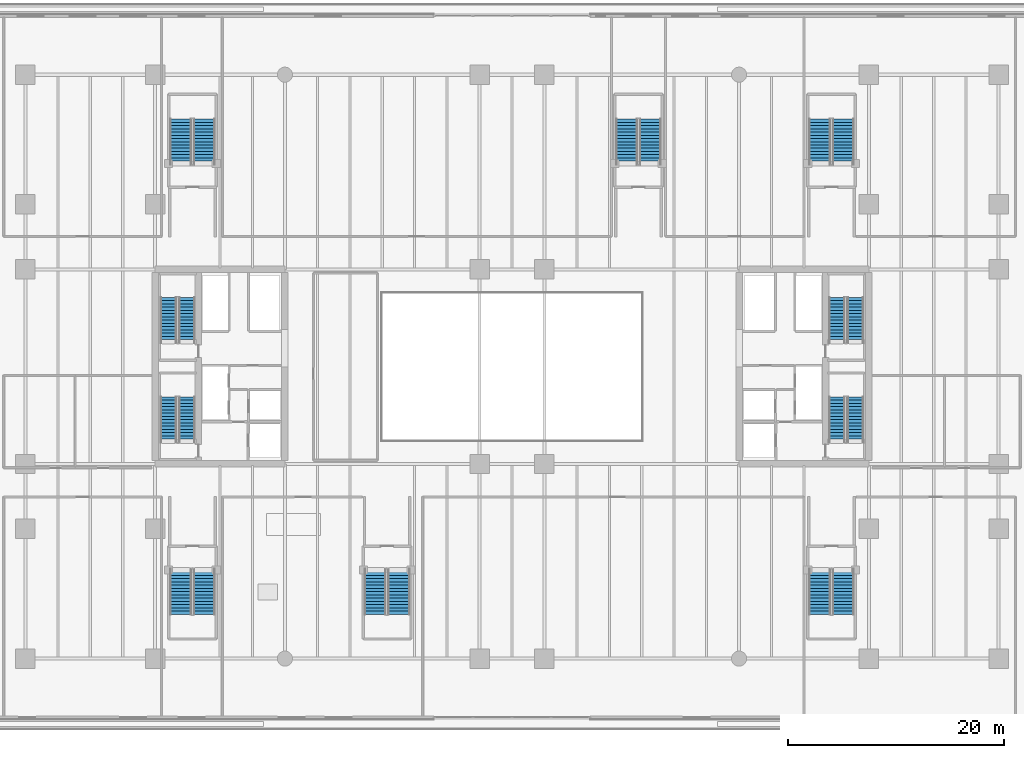
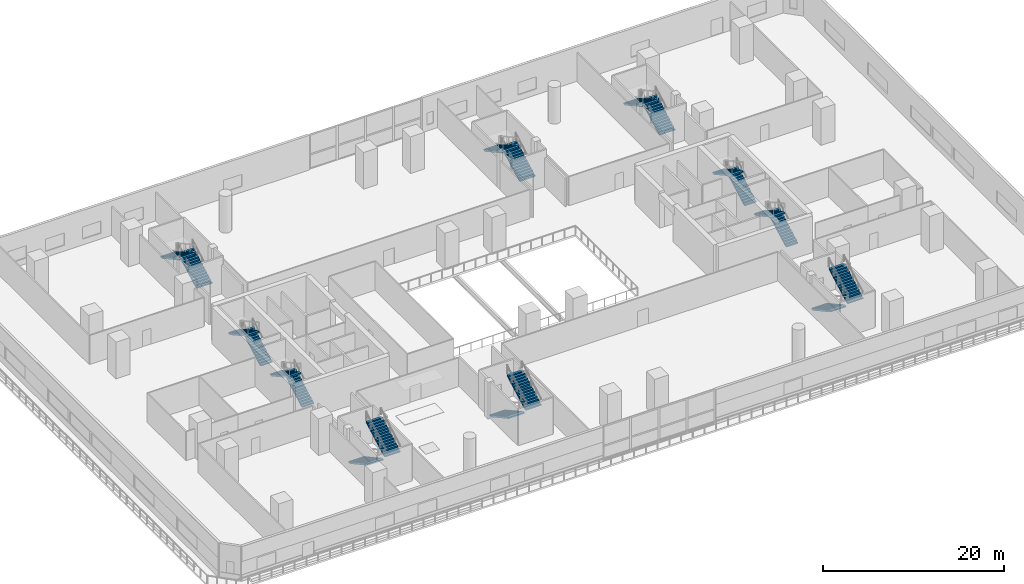
# One storey, part 13 of 24: 20 stair flights, 10 elements without a shape of their own.
"""IFC4 building model written with IfcOpenShell, lengths in metres."""

import ifcopenshell
import ifcopenshell.guid

model = None  # the IFC model being written
_history = None  # IfcOwnerHistory: only IFC2X3 demands one
_inside = {}  # id of a spatial element -> (the spatial element, [elements in it])
_under = {}  # id of a project, library or spatial element -> (it, [spatial elements below it])
_declared = {}  # id of a project -> (the project, [libraries it declares])
_typed = {}  # id of a type object -> (the type object, [elements of that type])
_made_of = {}  # id of a material, layer set ... -> (it, [elements and type objects made of it])


def new_model(schema):
    """Start an empty IFC model of exactly this schema.

    Asked for "IFC4X3", IfcOpenShell would pick the latest addendum, in which some entities
    have other attributes; the version numbers below select the first issue.
    IFC2X3 requires an IfcOwnerHistory on every rooted entity: one is made here for all.
    """
    global model, _history
    if schema == "IFC4X3":
        model = ifcopenshell.file(schema_version=(4, 3, 0, 0))
    else:
        model = ifcopenshell.file(schema=schema)
    _inside.clear()
    _under.clear()
    _declared.clear()
    _typed.clear()
    _made_of.clear()
    _history = None
    if model.schema == "IFC2X3":
        org = make("IfcOrganization", Name="unknown")
        user = make(
            "IfcPersonAndOrganization",
            ThePerson=make("IfcPerson", FamilyName="unknown"),
            TheOrganization=org,
        )
        app = make(
            "IfcApplication",
            ApplicationDeveloper=org,
            Version="unknown",
            ApplicationFullName="unknown",
            ApplicationIdentifier="unknown",
        )
        _history = make(
            "IfcOwnerHistory",
            OwningUser=user,
            OwningApplication=app,
            ChangeAction="ADDED",
            CreationDate=0,
        )
    return model


def make(cls, **values):
    """One entity of the class cls with the attributes given. An attribute that is None is left unset."""
    return model.create_entity(
        cls, **{name: value for name, value in values.items() if value is not None}
    )


def rooted(cls, **values):
    """An entity with a GlobalId (a new one), such as an element, a storey or a relation."""
    return make(cls, GlobalId=ifcopenshell.guid.new(), OwnerHistory=_history, **values)


def si_unit(unit_type, name, prefix=None):
    """IfcSIUnit, for example si_unit("LENGTHUNIT", "METRE", prefix="MILLI")."""
    return make("IfcSIUnit", UnitType=unit_type, Prefix=prefix, Name=name)


def assignment(units):
    """IfcUnitAssignment: the units of a project."""
    return None if units is None else make("IfcUnitAssignment", Units=units)


def point(xyz):
    """IfcCartesianPoint."""
    return None if xyz is None else make("IfcCartesianPoint", Coordinates=xyz)


def direction(xyz):
    """IfcDirection."""
    return None if xyz is None else make("IfcDirection", DirectionRatios=xyz)


def frame(location, z_axis=None, x_axis=None):
    """IfcAxis2Placement3D, a coordinate frame: its origin and axes. An axis left out is left unset."""
    return make(
        "IfcAxis2Placement3D",
        Location=point(location),
        Axis=direction(z_axis),
        RefDirection=direction(x_axis),
    )


def origin():
    """The frame at (0, 0, 0) with its axes left unset."""
    return frame((0.0, 0.0, 0.0))


def place(relative_to, where):
    """IfcLocalPlacement: puts the frame where relative to a parent placement (None: the world)."""
    return make(
        "IfcLocalPlacement", PlacementRelTo=relative_to, RelativePlacement=where
    )


def context(
    kind, dimensions, precision=None, world=None, true_north=None, identifier=None
):
    """IfcGeometricRepresentationContext, for example the 3D "Model" context."""
    return make(
        "IfcGeometricRepresentationContext",
        ContextIdentifier=identifier,
        ContextType=kind,
        CoordinateSpaceDimension=dimensions,
        Precision=precision,
        WorldCoordinateSystem=world,
        TrueNorth=true_north,
    )


def subcontext(parent, identifier, kind, view, scale=None):
    """IfcGeometricRepresentationSubContext, for example "Body" below "Model"."""
    return make(
        "IfcGeometricRepresentationSubContext",
        ContextIdentifier=identifier,
        ContextType=kind,
        ParentContext=parent,
        TargetScale=scale,
        TargetView=view,
    )


def project(units=None, contexts=None):
    """IfcProject with its units and contexts."""
    return rooted(
        "IfcProject",
        Name="project",
        RepresentationContexts=contexts,
        UnitsInContext=assignment(units),
    )


def spatial(cls, under=None, at=None, **own):
    """A site, building, storey or space (cls), placed at a placement, below another one or the project."""
    s = rooted(cls, ObjectPlacement=at, **own)
    if under is not None:
        _under.setdefault(under.id(), (under, []))[1].append(s)
    return s


def polyline(points):
    """IfcPolyline through the points."""
    return make("IfcPolyline", Points=[point(p) for p in points])


def outline(outer, holes=None, kind="AREA"):
    """IfcArbitraryClosedProfileDef: a profile drawn as a closed curve; with holes, ...WithVoids."""
    if holes is None:
        return make("IfcArbitraryClosedProfileDef", ProfileType=kind, OuterCurve=outer)
    return make(
        "IfcArbitraryProfileDefWithVoids",
        ProfileType=kind,
        OuterCurve=outer,
        InnerCurves=holes,
    )


def extrude(swept, where, along, depth):
    """IfcExtrudedAreaSolid: the profile swept, set in the frame where, extruded along a direction by depth."""
    return make(
        "IfcExtrudedAreaSolid",
        SweptArea=swept,
        Position=where,
        ExtrudedDirection=direction(along),
        Depth=depth,
    )


def shape(context_of_items, identifier, shape_type, items):
    """IfcShapeRepresentation: the items that make up one representation, for example the "Body"."""
    return make(
        "IfcShapeRepresentation",
        ContextOfItems=context_of_items,
        RepresentationIdentifier=identifier,
        RepresentationType=shape_type,
        Items=items,
    )


def material(Name=None, Category=None):
    """IfcMaterial."""
    return make("IfcMaterial", Name=Name, Category=Category)


def made_of(thing, what):
    """Note that an element or type object is made of a material, layer set ...; save() writes the relation."""
    if what is not None:
        _made_of.setdefault(what.id(), (what, []))[1].append(thing)
    return thing


def type_object(cls, material=None, **own):
    """A type object (cls), such as IfcWallType, which elements share."""
    return made_of(rooted(cls, **own), material)


def element(
    cls,
    number,
    at=None,
    inside=None,
    cuts=None,
    type_object=None,
    material=None,
    context=None,
    identifier="Body",
    shape_type=None,
    held_by="IfcProductDefinitionShape",
    body=None,
    shapes=None,
    **own,
):
    """One element of the class cls, such as IfcWall. Its Tag is "e" and its number.

    at: its placement. inside: the storey or other place that contains it. cuts: it is an
    opening in that element (IfcRelVoidsElement). A single representation is given by context,
    identifier, shape_type and body (its items); several are given by shapes. held_by: the class
    of the entity that holds the representations. save() writes the other relations.
    """
    e = rooted(cls, Tag="e%d" % number, ObjectPlacement=at, **own)
    if body is not None:
        shapes = [shape(context, identifier, shape_type, body)]
    if shapes is not None:
        e.Representation = make(held_by, Representations=shapes)
    if inside is not None:
        _inside.setdefault(inside.id(), (inside, []))[1].append(e)
    if cuts is not None:
        rooted(
            "IfcRelVoidsElement", RelatingBuildingElement=cuts, RelatedOpeningElement=e
        )
    if type_object is not None:
        _typed.setdefault(type_object.id(), (type_object, []))[1].append(e)
    return made_of(e, material)


def aggregate(whole, parts):
    """IfcRelAggregates: a whole, such as a stair, and the parts it consists of."""
    return rooted("IfcRelAggregates", RelatingObject=whole, RelatedObjects=parts)


def save(model, path):
    """Write the relations noted so far, then the file.

    IfcRelAggregates (storeys below a building ...), IfcRelContainedInSpatialStructure (elements
    in a storey), IfcRelDefinesByType, IfcRelAssociatesMaterial and IfcRelDeclares: one each for
    every whole, place, type object, material and project.
    """
    for whole, parts in _under.values():
        aggregate(whole, parts)
    for where, things in _inside.values():
        rooted(
            "IfcRelContainedInSpatialStructure",
            RelatedElements=things,
            RelatingStructure=where,
        )
    for kind, things in _typed.values():
        rooted("IfcRelDefinesByType", RelatedObjects=things, RelatingType=kind)
    for what, things in _made_of.values():
        rooted("IfcRelAssociatesMaterial", RelatedObjects=things, RelatingMaterial=what)
    for by, libraries in _declared.values():
        rooted("IfcRelDeclares", RelatingContext=by, RelatedDefinitions=libraries)
    model.write(path)


model = new_model("IFC4")

# Units and contexts
model_context = context("Model", 3, precision=1e-05, world=origin(), true_north=direction((0.0, 1.0)))
body_context = subcontext(model_context, "Body", "Model", "MODEL_VIEW")
ifc_project = project(units=[si_unit("LENGTHUNIT", "METRE"), si_unit("AREAUNIT", "SQUARE_METRE"), si_unit("VOLUMEUNIT", "CUBIC_METRE"), si_unit("PLANEANGLEUNIT", "RADIAN"), si_unit("MASSUNIT", "GRAM", prefix="KILO")], contexts=[model_context])

# Site, building, storey
site_placement = place(None, origin())
site = spatial("IfcSite", under=ifc_project, at=site_placement, CompositionType="ELEMENT")
building_placement = place(site_placement, origin())
building = spatial("IfcBuilding", under=site, at=building_placement, Name="Tanjung Sevakor Pilgrim Tower", CompositionType="ELEMENT")
storey_placement = place(building_placement, frame((0.0, 0.0, 4.949951171875)))
storey = spatial("IfcBuildingStorey", under=building, at=storey_placement, Name="L02", CompositionType="ELEMENT", Elevation=4.949951171875)

# Stair, stair flights
ifc_material_1 = material(Name="Concrete C40/50", Category="concrete")
stair_type_1 = type_object("IfcStairType", Name="STAIR-ST-CR150", PredefinedType="HALF_TURN_STAIR", material=ifc_material_1)
stair_1_placement = place(storey_placement, origin())
stair_1 = element("IfcStair", 1, at=stair_1_placement, inside=storey, type_object=stair_type_1, Name="L02 West Core Exit Stair 1", PredefinedType="HALF_TURN_STAIR")
ifc_material_2 = material(Name="Concrete C40/50", Category="concrete")
stair_flight_type_1 = type_object("IfcStairFlightType", Name="FLIGHT-ST-CR150", PredefinedType="STRAIGHT", material=ifc_material_2)
stair_flight_1_placement = place(storey_placement, frame((26.949951171875, 26.60009765625, 0.0), z_axis=(0.0, 0.0, 1.0), x_axis=(0.0, 1.0, 0.0)))
stair_flight_1 = element("IfcStairFlight", 2, at=stair_flight_1_placement, type_object=stair_flight_type_1, Name="TS-W1 flight 1", NumberOfRisers=15, NumberOfTreads=14, PredefinedType="STRAIGHT", RiserHeight=0.165, TreadLength=0.3, context=body_context, shape_type="SweptSolid", body=[
    extrude(outline(polyline([(0.0, 0.0), (0.0, 0.1650390625), (0.300048828125, 0.1650390625), (0.300048828125, 0.330078125), (0.60009765625, 0.330078125), (0.60009765625, 0.4951171875), (0.89990234375, 0.4951171875), (0.89990234375, 0.659912109375), (1.199951171875, 0.659912109375), (1.199951171875, 0.824951171875), (1.5, 0.824951171875), (1.5, 0.989990234375), (1.800048828125, 0.989990234375), (1.800048828125, 1.155029296875), (2.10009765625, 1.155029296875), (2.10009765625, 1.320068359375), (2.39990234375, 1.320068359375), (2.39990234375, 1.485107421875), (2.699951171875, 1.485107421875), (2.699951171875, 1.64990234375), (3.0, 1.64990234375), (3.0, 1.81494140625), (3.300048828125, 1.81494140625), (3.300048828125, 1.97998046875), (3.60009765625, 1.97998046875), (3.60009765625, 2.14501953125), (3.89990234375, 2.14501953125), (3.89990234375, 2.31005859375), (4.199951171875, 2.31005859375), (4.199951171875, 2.47509765625), (4.199951171875, 2.12744140625), (0.331787109375, 0.0), (0.0, 0.0)])), frame((0.0, 0.75, 0.0), z_axis=(0.0, -1.0, 0.0), x_axis=(1.0, 0.0, 0.0)), (0.0, 0.0, 1.0), 1.5),
])
stair_flight_2_placement = place(storey_placement, frame((25.25, 30.800048828125, 2.47509765625), z_axis=(0.0, 0.0, 1.0), x_axis=(0.0, -1.0, 0.0)))
stair_flight_2 = element("IfcStairFlight", 3, at=stair_flight_2_placement, type_object=stair_flight_type_1, Name="TS-W1 flight 2", NumberOfRisers=15, NumberOfTreads=14, PredefinedType="STRAIGHT", RiserHeight=0.165, TreadLength=0.3, context=body_context, shape_type="SweptSolid", body=[
    extrude(outline(polyline([(0.0, 0.0), (0.0, 0.1650390625), (0.300048828125, 0.1650390625), (0.300048828125, 0.330078125), (0.60009765625, 0.330078125), (0.60009765625, 0.4951171875), (0.89990234375, 0.4951171875), (0.89990234375, 0.659912109375), (1.199951171875, 0.659912109375), (1.199951171875, 0.824951171875), (1.5, 0.824951171875), (1.5, 0.989990234375), (1.800048828125, 0.989990234375), (1.800048828125, 1.155029296875), (2.10009765625, 1.155029296875), (2.10009765625, 1.320068359375), (2.39990234375, 1.320068359375), (2.39990234375, 1.485107421875), (2.699951171875, 1.485107421875), (2.699951171875, 1.64990234375), (3.0, 1.64990234375), (3.0, 1.81494140625), (3.300048828125, 1.81494140625), (3.300048828125, 1.97998046875), (3.60009765625, 1.97998046875), (3.60009765625, 2.14501953125), (3.89990234375, 2.14501953125), (3.89990234375, 2.31005859375), (4.199951171875, 2.31005859375), (4.199951171875, 2.47509765625), (4.199951171875, 2.12744140625), (0.331787109375, 0.0), (0.0, 0.0)])), frame((0.0, 0.75, 0.0), z_axis=(0.0, -1.0, 0.0), x_axis=(1.0, 0.0, 0.0)), (0.0, 0.0, 1.0), 1.5),
])
aggregate(stair_1, [stair_flight_1, stair_flight_2])

stair_2_placement = place(storey_placement, origin())
stair_2 = element("IfcStair", 4, at=stair_2_placement, inside=storey, type_object=stair_type_1, Name="L02 West Core Exit Stair 2", PredefinedType="HALF_TURN_STAIR")
stair_flight_3_placement = place(storey_placement, frame((26.949951171875, 35.800048828125, 0.0), z_axis=(0.0, 0.0, 1.0), x_axis=(0.0, 1.0, 0.0)))
stair_flight_3 = element("IfcStairFlight", 5, at=stair_flight_3_placement, type_object=stair_flight_type_1, Name="TS-W2 flight 1", NumberOfRisers=15, NumberOfTreads=14, PredefinedType="STRAIGHT", RiserHeight=0.165, TreadLength=0.3, context=body_context, shape_type="SweptSolid", body=[
    extrude(outline(polyline([(0.0, 0.0), (0.0, 0.1650390625), (0.300048828125, 0.1650390625), (0.300048828125, 0.330078125), (0.60009765625, 0.330078125), (0.60009765625, 0.4951171875), (0.89990234375, 0.4951171875), (0.89990234375, 0.659912109375), (1.199951171875, 0.659912109375), (1.199951171875, 0.824951171875), (1.5, 0.824951171875), (1.5, 0.989990234375), (1.800048828125, 0.989990234375), (1.800048828125, 1.155029296875), (2.10009765625, 1.155029296875), (2.10009765625, 1.320068359375), (2.39990234375, 1.320068359375), (2.39990234375, 1.485107421875), (2.699951171875, 1.485107421875), (2.699951171875, 1.64990234375), (3.0, 1.64990234375), (3.0, 1.81494140625), (3.300048828125, 1.81494140625), (3.300048828125, 1.97998046875), (3.60009765625, 1.97998046875), (3.60009765625, 2.14501953125), (3.89990234375, 2.14501953125), (3.89990234375, 2.31005859375), (4.199951171875, 2.31005859375), (4.199951171875, 2.47509765625), (4.199951171875, 2.12744140625), (0.331787109375, 0.0), (0.0, 0.0)])), frame((0.0, 0.75, 0.0), z_axis=(0.0, -1.0, 0.0), x_axis=(1.0, 0.0, 0.0)), (0.0, 0.0, 1.0), 1.5),
])
stair_flight_4_placement = place(storey_placement, frame((25.25, 40.0, 2.47509765625), z_axis=(0.0, 0.0, 1.0), x_axis=(0.0, -1.0, 0.0)))
stair_flight_4 = element("IfcStairFlight", 6, at=stair_flight_4_placement, type_object=stair_flight_type_1, Name="TS-W2 flight 2", NumberOfRisers=15, NumberOfTreads=14, PredefinedType="STRAIGHT", RiserHeight=0.165, TreadLength=0.3, context=body_context, shape_type="SweptSolid", body=[
    extrude(outline(polyline([(0.0, 0.0), (0.0, 0.1650390625), (0.300048828125, 0.1650390625), (0.300048828125, 0.330078125), (0.60009765625, 0.330078125), (0.60009765625, 0.4951171875), (0.89990234375, 0.4951171875), (0.89990234375, 0.659912109375), (1.199951171875, 0.659912109375), (1.199951171875, 0.824951171875), (1.5, 0.824951171875), (1.5, 0.989990234375), (1.800048828125, 0.989990234375), (1.800048828125, 1.155029296875), (2.10009765625, 1.155029296875), (2.10009765625, 1.320068359375), (2.39990234375, 1.320068359375), (2.39990234375, 1.485107421875), (2.699951171875, 1.485107421875), (2.699951171875, 1.64990234375), (3.0, 1.64990234375), (3.0, 1.81494140625), (3.300048828125, 1.81494140625), (3.300048828125, 1.97998046875), (3.60009765625, 1.97998046875), (3.60009765625, 2.14501953125), (3.89990234375, 2.14501953125), (3.89990234375, 2.31005859375), (4.199951171875, 2.31005859375), (4.199951171875, 2.47509765625), (4.199951171875, 2.12744140625), (0.331787109375, 0.0), (0.0, 0.0)])), frame((0.0, 0.75, 0.0), z_axis=(0.0, -1.0, 0.0), x_axis=(1.0, 0.0, 0.0)), (0.0, 0.0, 1.0), 1.5),
])
aggregate(stair_2, [stair_flight_3, stair_flight_4])

stair_3_placement = place(storey_placement, origin())
stair_3 = element("IfcStair", 7, at=stair_3_placement, inside=storey, type_object=stair_type_1, Name="L02 East Core Exit Stair 1", PredefinedType="HALF_TURN_STAIR")
stair_flight_5_placement = place(storey_placement, frame((88.75, 26.60009765625, 0.0), z_axis=(0.0, 0.0, 1.0), x_axis=(0.0, 1.0, 0.0)))
stair_flight_5 = element("IfcStairFlight", 8, at=stair_flight_5_placement, type_object=stair_flight_type_1, Name="TS-E1 flight 1", NumberOfRisers=15, NumberOfTreads=14, PredefinedType="STRAIGHT", RiserHeight=0.165, TreadLength=0.3, context=body_context, shape_type="SweptSolid", body=[
    extrude(outline(polyline([(0.0, 0.0), (0.0, 0.1650390625), (0.300048828125, 0.1650390625), (0.300048828125, 0.330078125), (0.60009765625, 0.330078125), (0.60009765625, 0.4951171875), (0.89990234375, 0.4951171875), (0.89990234375, 0.659912109375), (1.199951171875, 0.659912109375), (1.199951171875, 0.824951171875), (1.5, 0.824951171875), (1.5, 0.989990234375), (1.800048828125, 0.989990234375), (1.800048828125, 1.155029296875), (2.10009765625, 1.155029296875), (2.10009765625, 1.320068359375), (2.39990234375, 1.320068359375), (2.39990234375, 1.485107421875), (2.699951171875, 1.485107421875), (2.699951171875, 1.64990234375), (3.0, 1.64990234375), (3.0, 1.81494140625), (3.300048828125, 1.81494140625), (3.300048828125, 1.97998046875), (3.60009765625, 1.97998046875), (3.60009765625, 2.14501953125), (3.89990234375, 2.14501953125), (3.89990234375, 2.31005859375), (4.199951171875, 2.31005859375), (4.199951171875, 2.47509765625), (4.199951171875, 2.12744140625), (0.331787109375, 0.0), (0.0, 0.0)])), frame((0.0, 0.75, 0.0), z_axis=(0.0, -1.0, 0.0), x_axis=(1.0, 0.0, 0.0)), (0.0, 0.0, 1.0), 1.5),
])
stair_flight_6_placement = place(storey_placement, frame((87.050048828125, 30.800048828125, 2.47509765625), z_axis=(0.0, 0.0, 1.0), x_axis=(0.0, -1.0, 0.0)))
stair_flight_6 = element("IfcStairFlight", 9, at=stair_flight_6_placement, type_object=stair_flight_type_1, Name="TS-E1 flight 2", NumberOfRisers=15, NumberOfTreads=14, PredefinedType="STRAIGHT", RiserHeight=0.165, TreadLength=0.3, context=body_context, shape_type="SweptSolid", body=[
    extrude(outline(polyline([(0.0, 0.0), (0.0, 0.1650390625), (0.300048828125, 0.1650390625), (0.300048828125, 0.330078125), (0.60009765625, 0.330078125), (0.60009765625, 0.4951171875), (0.89990234375, 0.4951171875), (0.89990234375, 0.659912109375), (1.199951171875, 0.659912109375), (1.199951171875, 0.824951171875), (1.5, 0.824951171875), (1.5, 0.989990234375), (1.800048828125, 0.989990234375), (1.800048828125, 1.155029296875), (2.10009765625, 1.155029296875), (2.10009765625, 1.320068359375), (2.39990234375, 1.320068359375), (2.39990234375, 1.485107421875), (2.699951171875, 1.485107421875), (2.699951171875, 1.64990234375), (3.0, 1.64990234375), (3.0, 1.81494140625), (3.300048828125, 1.81494140625), (3.300048828125, 1.97998046875), (3.60009765625, 1.97998046875), (3.60009765625, 2.14501953125), (3.89990234375, 2.14501953125), (3.89990234375, 2.31005859375), (4.199951171875, 2.31005859375), (4.199951171875, 2.47509765625), (4.199951171875, 2.12744140625), (0.331787109375, 0.0), (0.0, 0.0)])), frame((0.0, 0.75, 0.0), z_axis=(0.0, -1.0, 0.0), x_axis=(1.0, 0.0, 0.0)), (0.0, 0.0, 1.0), 1.5),
])
aggregate(stair_3, [stair_flight_5, stair_flight_6])

stair_4_placement = place(storey_placement, origin())
stair_4 = element("IfcStair", 10, at=stair_4_placement, inside=storey, type_object=stair_type_1, Name="L02 East Core Exit Stair 2", PredefinedType="HALF_TURN_STAIR")
stair_flight_7_placement = place(storey_placement, frame((88.75, 35.800048828125, 0.0), z_axis=(0.0, 0.0, 1.0), x_axis=(0.0, 1.0, 0.0)))
stair_flight_7 = element("IfcStairFlight", 11, at=stair_flight_7_placement, type_object=stair_flight_type_1, Name="TS-E2 flight 1", NumberOfRisers=15, NumberOfTreads=14, PredefinedType="STRAIGHT", RiserHeight=0.165, TreadLength=0.3, context=body_context, shape_type="SweptSolid", body=[
    extrude(outline(polyline([(0.0, 0.0), (0.0, 0.1650390625), (0.300048828125, 0.1650390625), (0.300048828125, 0.330078125), (0.60009765625, 0.330078125), (0.60009765625, 0.4951171875), (0.89990234375, 0.4951171875), (0.89990234375, 0.659912109375), (1.199951171875, 0.659912109375), (1.199951171875, 0.824951171875), (1.5, 0.824951171875), (1.5, 0.989990234375), (1.800048828125, 0.989990234375), (1.800048828125, 1.155029296875), (2.10009765625, 1.155029296875), (2.10009765625, 1.320068359375), (2.39990234375, 1.320068359375), (2.39990234375, 1.485107421875), (2.699951171875, 1.485107421875), (2.699951171875, 1.64990234375), (3.0, 1.64990234375), (3.0, 1.81494140625), (3.300048828125, 1.81494140625), (3.300048828125, 1.97998046875), (3.60009765625, 1.97998046875), (3.60009765625, 2.14501953125), (3.89990234375, 2.14501953125), (3.89990234375, 2.31005859375), (4.199951171875, 2.31005859375), (4.199951171875, 2.47509765625), (4.199951171875, 2.12744140625), (0.331787109375, 0.0), (0.0, 0.0)])), frame((0.0, 0.75, 0.0), z_axis=(0.0, -1.0, 0.0), x_axis=(1.0, 0.0, 0.0)), (0.0, 0.0, 1.0), 1.5),
])
stair_flight_8_placement = place(storey_placement, frame((87.050048828125, 40.0, 2.47509765625), z_axis=(0.0, 0.0, 1.0), x_axis=(0.0, -1.0, 0.0)))
stair_flight_8 = element("IfcStairFlight", 12, at=stair_flight_8_placement, type_object=stair_flight_type_1, Name="TS-E2 flight 2", NumberOfRisers=15, NumberOfTreads=14, PredefinedType="STRAIGHT", RiserHeight=0.165, TreadLength=0.3, context=body_context, shape_type="SweptSolid", body=[
    extrude(outline(polyline([(0.0, 0.0), (0.0, 0.1650390625), (0.300048828125, 0.1650390625), (0.300048828125, 0.330078125), (0.60009765625, 0.330078125), (0.60009765625, 0.4951171875), (0.89990234375, 0.4951171875), (0.89990234375, 0.659912109375), (1.199951171875, 0.659912109375), (1.199951171875, 0.824951171875), (1.5, 0.824951171875), (1.5, 0.989990234375), (1.800048828125, 0.989990234375), (1.800048828125, 1.155029296875), (2.10009765625, 1.155029296875), (2.10009765625, 1.320068359375), (2.39990234375, 1.320068359375), (2.39990234375, 1.485107421875), (2.699951171875, 1.485107421875), (2.699951171875, 1.64990234375), (3.0, 1.64990234375), (3.0, 1.81494140625), (3.300048828125, 1.81494140625), (3.300048828125, 1.97998046875), (3.60009765625, 1.97998046875), (3.60009765625, 2.14501953125), (3.89990234375, 2.14501953125), (3.89990234375, 2.31005859375), (4.199951171875, 2.31005859375), (4.199951171875, 2.47509765625), (4.199951171875, 2.12744140625), (0.331787109375, 0.0), (0.0, 0.0)])), frame((0.0, 0.75, 0.0), z_axis=(0.0, -1.0, 0.0), x_axis=(1.0, 0.0, 0.0)), (0.0, 0.0, 1.0), 1.5),
])
aggregate(stair_4, [stair_flight_7, stair_flight_8])

ifc_material_3 = material(Name="Concrete C40/50", Category="concrete")
stair_type_2 = type_object("IfcStairType", Name="STAIR-ST-PD200", PredefinedType="HALF_TURN_STAIR", material=ifc_material_3)
stair_5_placement = place(storey_placement, origin())
stair_5 = element("IfcStair", 13, at=stair_5_placement, inside=storey, type_object=stair_type_2, Name="L02 Podium South-West Assembly Stair", PredefinedType="HALF_TURN_STAIR")
ifc_material_4 = material(Name="Concrete C40/50", Category="concrete")
stair_flight_type_2 = type_object("IfcStairFlightType", Name="FLIGHT-ST-PD200", PredefinedType="STRAIGHT", material=ifc_material_4)
stair_flight_9_placement = place(storey_placement, frame((26.35009765625, 14.89990234375, 0.0), z_axis=(0.0, 0.0, 1.0), x_axis=(0.0, -1.0, 0.0)))
stair_flight_9 = element("IfcStairFlight", 14, at=stair_flight_9_placement, type_object=stair_flight_type_2, Name="PS-1 flight 1", NumberOfRisers=15, NumberOfTreads=14, PredefinedType="STRAIGHT", RiserHeight=0.165, TreadLength=0.3, context=body_context, shape_type="SweptSolid", body=[
    extrude(outline(polyline([(0.0, 0.0), (0.0, 0.1650390625), (0.300048828125, 0.1650390625), (0.300048828125, 0.330078125), (0.60009765625, 0.330078125), (0.60009765625, 0.4951171875), (0.89990234375, 0.4951171875), (0.89990234375, 0.659912109375), (1.199951171875, 0.659912109375), (1.199951171875, 0.824951171875), (1.5, 0.824951171875), (1.5, 0.989990234375), (1.800048828125, 0.989990234375), (1.800048828125, 1.155029296875), (2.10009765625, 1.155029296875), (2.10009765625, 1.320068359375), (2.39990234375, 1.320068359375), (2.39990234375, 1.485107421875), (2.699951171875, 1.485107421875), (2.699951171875, 1.64990234375), (3.0, 1.64990234375), (3.0, 1.81494140625), (3.300048828125, 1.81494140625), (3.300048828125, 1.97998046875), (3.60009765625, 1.97998046875), (3.60009765625, 2.14501953125), (3.89990234375, 2.14501953125), (3.89990234375, 2.31005859375), (4.199951171875, 2.31005859375), (4.199951171875, 2.47509765625), (4.199951171875, 2.12744140625), (0.331787109375, 0.0), (0.0, 0.0)])), frame((0.0, 1.0, 0.0), z_axis=(0.0, -1.0, 0.0), x_axis=(1.0, 0.0, 0.0)), (0.0, 0.0, 1.0), 2.0),
])
stair_flight_10_placement = place(storey_placement, frame((28.550048828125, 10.699951171875, 2.47509765625), z_axis=(0.0, 0.0, 1.0), x_axis=(0.0, 1.0, 0.0)))
stair_flight_10 = element("IfcStairFlight", 15, at=stair_flight_10_placement, type_object=stair_flight_type_2, Name="PS-1 flight 2", NumberOfRisers=15, NumberOfTreads=14, PredefinedType="STRAIGHT", RiserHeight=0.165, TreadLength=0.3, context=body_context, shape_type="SweptSolid", body=[
    extrude(outline(polyline([(0.0, 0.0), (0.0, 0.1650390625), (0.300048828125, 0.1650390625), (0.300048828125, 0.330078125), (0.60009765625, 0.330078125), (0.60009765625, 0.4951171875), (0.89990234375, 0.4951171875), (0.89990234375, 0.659912109375), (1.199951171875, 0.659912109375), (1.199951171875, 0.824951171875), (1.5, 0.824951171875), (1.5, 0.989990234375), (1.800048828125, 0.989990234375), (1.800048828125, 1.155029296875), (2.10009765625, 1.155029296875), (2.10009765625, 1.320068359375), (2.39990234375, 1.320068359375), (2.39990234375, 1.485107421875), (2.699951171875, 1.485107421875), (2.699951171875, 1.64990234375), (3.0, 1.64990234375), (3.0, 1.81494140625), (3.300048828125, 1.81494140625), (3.300048828125, 1.97998046875), (3.60009765625, 1.97998046875), (3.60009765625, 2.14501953125), (3.89990234375, 2.14501953125), (3.89990234375, 2.31005859375), (4.199951171875, 2.31005859375), (4.199951171875, 2.47509765625), (4.199951171875, 2.12744140625), (0.331787109375, 0.0), (0.0, 0.0)])), frame((0.0, 1.0, 0.0), z_axis=(0.0, -1.0, 0.0), x_axis=(1.0, 0.0, 0.0)), (0.0, 0.0, 1.0), 2.0),
])
aggregate(stair_5, [stair_flight_9, stair_flight_10])

stair_6_placement = place(storey_placement, origin())
stair_6 = element("IfcStair", 16, at=stair_6_placement, inside=storey, type_object=stair_type_2, Name="L02 Podium North-West Assembly Stair", PredefinedType="HALF_TURN_STAIR")
stair_flight_11_placement = place(storey_placement, frame((28.550048828125, 52.300048828125, 0.0), z_axis=(0.0, 0.0, 1.0), x_axis=(0.0, 1.0, 0.0)))
stair_flight_11 = element("IfcStairFlight", 17, at=stair_flight_11_placement, type_object=stair_flight_type_2, Name="PS-2 flight 1", NumberOfRisers=15, NumberOfTreads=14, PredefinedType="STRAIGHT", RiserHeight=0.165, TreadLength=0.3, context=body_context, shape_type="SweptSolid", body=[
    extrude(outline(polyline([(0.0, 0.0), (0.0, 0.1650390625), (0.300048828125, 0.1650390625), (0.300048828125, 0.330078125), (0.60009765625, 0.330078125), (0.60009765625, 0.4951171875), (0.89990234375, 0.4951171875), (0.89990234375, 0.659912109375), (1.199951171875, 0.659912109375), (1.199951171875, 0.824951171875), (1.5, 0.824951171875), (1.5, 0.989990234375), (1.800048828125, 0.989990234375), (1.800048828125, 1.155029296875), (2.10009765625, 1.155029296875), (2.10009765625, 1.320068359375), (2.39990234375, 1.320068359375), (2.39990234375, 1.485107421875), (2.699951171875, 1.485107421875), (2.699951171875, 1.64990234375), (3.0, 1.64990234375), (3.0, 1.81494140625), (3.300048828125, 1.81494140625), (3.300048828125, 1.97998046875), (3.60009765625, 1.97998046875), (3.60009765625, 2.14501953125), (3.89990234375, 2.14501953125), (3.89990234375, 2.31005859375), (4.199951171875, 2.31005859375), (4.199951171875, 2.47509765625), (4.199951171875, 2.12744140625), (0.331787109375, 0.0), (0.0, 0.0)])), frame((0.0, 1.0, 0.0), z_axis=(0.0, -1.0, 0.0), x_axis=(1.0, 0.0, 0.0)), (0.0, 0.0, 1.0), 2.0),
])
stair_flight_12_placement = place(storey_placement, frame((26.35009765625, 56.5, 2.47509765625), z_axis=(0.0, 0.0, 1.0), x_axis=(0.0, -1.0, 0.0)))
stair_flight_12 = element("IfcStairFlight", 18, at=stair_flight_12_placement, type_object=stair_flight_type_2, Name="PS-2 flight 2", NumberOfRisers=15, NumberOfTreads=14, PredefinedType="STRAIGHT", RiserHeight=0.165, TreadLength=0.3, context=body_context, shape_type="SweptSolid", body=[
    extrude(outline(polyline([(0.0, 0.0), (0.0, 0.1650390625), (0.300048828125, 0.1650390625), (0.300048828125, 0.330078125), (0.60009765625, 0.330078125), (0.60009765625, 0.4951171875), (0.89990234375, 0.4951171875), (0.89990234375, 0.659912109375), (1.199951171875, 0.659912109375), (1.199951171875, 0.824951171875), (1.5, 0.824951171875), (1.5, 0.989990234375), (1.800048828125, 0.989990234375), (1.800048828125, 1.155029296875), (2.10009765625, 1.155029296875), (2.10009765625, 1.320068359375), (2.39990234375, 1.320068359375), (2.39990234375, 1.485107421875), (2.699951171875, 1.485107421875), (2.699951171875, 1.64990234375), (3.0, 1.64990234375), (3.0, 1.81494140625), (3.300048828125, 1.81494140625), (3.300048828125, 1.97998046875), (3.60009765625, 1.97998046875), (3.60009765625, 2.14501953125), (3.89990234375, 2.14501953125), (3.89990234375, 2.31005859375), (4.199951171875, 2.31005859375), (4.199951171875, 2.47509765625), (4.199951171875, 2.12744140625), (0.331787109375, 0.0), (0.0, 0.0)])), frame((0.0, 1.0, 0.0), z_axis=(0.0, -1.0, 0.0), x_axis=(1.0, 0.0, 0.0)), (0.0, 0.0, 1.0), 2.0),
])
aggregate(stair_6, [stair_flight_11, stair_flight_12])

stair_7_placement = place(storey_placement, origin())
stair_7 = element("IfcStair", 19, at=stair_7_placement, inside=storey, type_object=stair_type_2, Name="L02 Podium South-Central Assembly Stair", PredefinedType="HALF_TURN_STAIR")
stair_flight_13_placement = place(storey_placement, frame((44.35009765625, 14.89990234375, 0.0), z_axis=(0.0, 0.0, 1.0), x_axis=(0.0, -1.0, 0.0)))
stair_flight_13 = element("IfcStairFlight", 20, at=stair_flight_13_placement, type_object=stair_flight_type_2, Name="PS-3 flight 1", NumberOfRisers=15, NumberOfTreads=14, PredefinedType="STRAIGHT", RiserHeight=0.165, TreadLength=0.3, context=body_context, shape_type="SweptSolid", body=[
    extrude(outline(polyline([(0.0, 0.0), (0.0, 0.1650390625), (0.300048828125, 0.1650390625), (0.300048828125, 0.330078125), (0.60009765625, 0.330078125), (0.60009765625, 0.4951171875), (0.89990234375, 0.4951171875), (0.89990234375, 0.659912109375), (1.199951171875, 0.659912109375), (1.199951171875, 0.824951171875), (1.5, 0.824951171875), (1.5, 0.989990234375), (1.800048828125, 0.989990234375), (1.800048828125, 1.155029296875), (2.10009765625, 1.155029296875), (2.10009765625, 1.320068359375), (2.39990234375, 1.320068359375), (2.39990234375, 1.485107421875), (2.699951171875, 1.485107421875), (2.699951171875, 1.64990234375), (3.0, 1.64990234375), (3.0, 1.81494140625), (3.300048828125, 1.81494140625), (3.300048828125, 1.97998046875), (3.60009765625, 1.97998046875), (3.60009765625, 2.14501953125), (3.89990234375, 2.14501953125), (3.89990234375, 2.31005859375), (4.199951171875, 2.31005859375), (4.199951171875, 2.47509765625), (4.199951171875, 2.12744140625), (0.331787109375, 0.0), (0.0, 0.0)])), frame((0.0, 1.0, 0.0), z_axis=(0.0, -1.0, 0.0), x_axis=(1.0, 0.0, 0.0)), (0.0, 0.0, 1.0), 2.0),
])
stair_flight_14_placement = place(storey_placement, frame((46.550048828125, 10.699951171875, 2.47509765625), z_axis=(0.0, 0.0, 1.0), x_axis=(0.0, 1.0, 0.0)))
stair_flight_14 = element("IfcStairFlight", 21, at=stair_flight_14_placement, type_object=stair_flight_type_2, Name="PS-3 flight 2", NumberOfRisers=15, NumberOfTreads=14, PredefinedType="STRAIGHT", RiserHeight=0.165, TreadLength=0.3, context=body_context, shape_type="SweptSolid", body=[
    extrude(outline(polyline([(0.0, 0.0), (0.0, 0.1650390625), (0.300048828125, 0.1650390625), (0.300048828125, 0.330078125), (0.60009765625, 0.330078125), (0.60009765625, 0.4951171875), (0.89990234375, 0.4951171875), (0.89990234375, 0.659912109375), (1.199951171875, 0.659912109375), (1.199951171875, 0.824951171875), (1.5, 0.824951171875), (1.5, 0.989990234375), (1.800048828125, 0.989990234375), (1.800048828125, 1.155029296875), (2.10009765625, 1.155029296875), (2.10009765625, 1.320068359375), (2.39990234375, 1.320068359375), (2.39990234375, 1.485107421875), (2.699951171875, 1.485107421875), (2.699951171875, 1.64990234375), (3.0, 1.64990234375), (3.0, 1.81494140625), (3.300048828125, 1.81494140625), (3.300048828125, 1.97998046875), (3.60009765625, 1.97998046875), (3.60009765625, 2.14501953125), (3.89990234375, 2.14501953125), (3.89990234375, 2.31005859375), (4.199951171875, 2.31005859375), (4.199951171875, 2.47509765625), (4.199951171875, 2.12744140625), (0.331787109375, 0.0), (0.0, 0.0)])), frame((0.0, 1.0, 0.0), z_axis=(0.0, -1.0, 0.0), x_axis=(1.0, 0.0, 0.0)), (0.0, 0.0, 1.0), 2.0),
])
aggregate(stair_7, [stair_flight_13, stair_flight_14])

stair_8_placement = place(storey_placement, origin())
stair_8 = element("IfcStair", 22, at=stair_8_placement, inside=storey, type_object=stair_type_2, Name="L02 Podium North-Central Assembly Stair", PredefinedType="HALF_TURN_STAIR")
stair_flight_15_placement = place(storey_placement, frame((69.800048828125, 52.300048828125, 0.0), z_axis=(0.0, 0.0, 1.0), x_axis=(0.0, 1.0, 0.0)))
stair_flight_15 = element("IfcStairFlight", 23, at=stair_flight_15_placement, type_object=stair_flight_type_2, Name="PS-4 flight 1", NumberOfRisers=15, NumberOfTreads=14, PredefinedType="STRAIGHT", RiserHeight=0.165, TreadLength=0.3, context=body_context, shape_type="SweptSolid", body=[
    extrude(outline(polyline([(0.0, 0.0), (0.0, 0.1650390625), (0.300048828125, 0.1650390625), (0.300048828125, 0.330078125), (0.60009765625, 0.330078125), (0.60009765625, 0.4951171875), (0.89990234375, 0.4951171875), (0.89990234375, 0.659912109375), (1.199951171875, 0.659912109375), (1.199951171875, 0.824951171875), (1.5, 0.824951171875), (1.5, 0.989990234375), (1.800048828125, 0.989990234375), (1.800048828125, 1.155029296875), (2.10009765625, 1.155029296875), (2.10009765625, 1.320068359375), (2.39990234375, 1.320068359375), (2.39990234375, 1.485107421875), (2.699951171875, 1.485107421875), (2.699951171875, 1.64990234375), (3.0, 1.64990234375), (3.0, 1.81494140625), (3.300048828125, 1.81494140625), (3.300048828125, 1.97998046875), (3.60009765625, 1.97998046875), (3.60009765625, 2.14501953125), (3.89990234375, 2.14501953125), (3.89990234375, 2.31005859375), (4.199951171875, 2.31005859375), (4.199951171875, 2.47509765625), (4.199951171875, 2.12744140625), (0.331787109375, 0.0), (0.0, 0.0)])), frame((0.0, 1.0, 0.0), z_axis=(0.0, -1.0, 0.0), x_axis=(1.0, 0.0, 0.0)), (0.0, 0.0, 1.0), 2.0),
])
stair_flight_16_placement = place(storey_placement, frame((67.60009765625, 56.5, 2.47509765625), z_axis=(0.0, 0.0, 1.0), x_axis=(0.0, -1.0, 0.0)))
stair_flight_16 = element("IfcStairFlight", 24, at=stair_flight_16_placement, type_object=stair_flight_type_2, Name="PS-4 flight 2", NumberOfRisers=15, NumberOfTreads=14, PredefinedType="STRAIGHT", RiserHeight=0.165, TreadLength=0.3, context=body_context, shape_type="SweptSolid", body=[
    extrude(outline(polyline([(0.0, 0.0), (0.0, 0.1650390625), (0.300048828125, 0.1650390625), (0.300048828125, 0.330078125), (0.60009765625, 0.330078125), (0.60009765625, 0.4951171875), (0.89990234375, 0.4951171875), (0.89990234375, 0.659912109375), (1.199951171875, 0.659912109375), (1.199951171875, 0.824951171875), (1.5, 0.824951171875), (1.5, 0.989990234375), (1.800048828125, 0.989990234375), (1.800048828125, 1.155029296875), (2.10009765625, 1.155029296875), (2.10009765625, 1.320068359375), (2.39990234375, 1.320068359375), (2.39990234375, 1.485107421875), (2.699951171875, 1.485107421875), (2.699951171875, 1.64990234375), (3.0, 1.64990234375), (3.0, 1.81494140625), (3.300048828125, 1.81494140625), (3.300048828125, 1.97998046875), (3.60009765625, 1.97998046875), (3.60009765625, 2.14501953125), (3.89990234375, 2.14501953125), (3.89990234375, 2.31005859375), (4.199951171875, 2.31005859375), (4.199951171875, 2.47509765625), (4.199951171875, 2.12744140625), (0.331787109375, 0.0), (0.0, 0.0)])), frame((0.0, 1.0, 0.0), z_axis=(0.0, -1.0, 0.0), x_axis=(1.0, 0.0, 0.0)), (0.0, 0.0, 1.0), 2.0),
])
aggregate(stair_8, [stair_flight_15, stair_flight_16])

stair_9_placement = place(storey_placement, origin())
stair_9 = element("IfcStair", 25, at=stair_9_placement, inside=storey, type_object=stair_type_2, Name="L02 Podium South-East Assembly Stair", PredefinedType="HALF_TURN_STAIR")
stair_flight_17_placement = place(storey_placement, frame((85.449951171875, 14.89990234375, 0.0), z_axis=(0.0, 0.0, 1.0), x_axis=(0.0, -1.0, 0.0)))
stair_flight_17 = element("IfcStairFlight", 26, at=stair_flight_17_placement, type_object=stair_flight_type_2, Name="PS-5 flight 1", NumberOfRisers=15, NumberOfTreads=14, PredefinedType="STRAIGHT", RiserHeight=0.165, TreadLength=0.3, context=body_context, shape_type="SweptSolid", body=[
    extrude(outline(polyline([(0.0, 0.0), (0.0, 0.1650390625), (0.300048828125, 0.1650390625), (0.300048828125, 0.330078125), (0.60009765625, 0.330078125), (0.60009765625, 0.4951171875), (0.89990234375, 0.4951171875), (0.89990234375, 0.659912109375), (1.199951171875, 0.659912109375), (1.199951171875, 0.824951171875), (1.5, 0.824951171875), (1.5, 0.989990234375), (1.800048828125, 0.989990234375), (1.800048828125, 1.155029296875), (2.10009765625, 1.155029296875), (2.10009765625, 1.320068359375), (2.39990234375, 1.320068359375), (2.39990234375, 1.485107421875), (2.699951171875, 1.485107421875), (2.699951171875, 1.64990234375), (3.0, 1.64990234375), (3.0, 1.81494140625), (3.300048828125, 1.81494140625), (3.300048828125, 1.97998046875), (3.60009765625, 1.97998046875), (3.60009765625, 2.14501953125), (3.89990234375, 2.14501953125), (3.89990234375, 2.31005859375), (4.199951171875, 2.31005859375), (4.199951171875, 2.47509765625), (4.199951171875, 2.12744140625), (0.331787109375, 0.0), (0.0, 0.0)])), frame((0.0, 1.0, 0.0), z_axis=(0.0, -1.0, 0.0), x_axis=(1.0, 0.0, 0.0)), (0.0, 0.0, 1.0), 2.0),
])
stair_flight_18_placement = place(storey_placement, frame((87.64990234375, 10.699951171875, 2.47509765625), z_axis=(0.0, 0.0, 1.0), x_axis=(0.0, 1.0, 0.0)))
stair_flight_18 = element("IfcStairFlight", 27, at=stair_flight_18_placement, type_object=stair_flight_type_2, Name="PS-5 flight 2", NumberOfRisers=15, NumberOfTreads=14, PredefinedType="STRAIGHT", RiserHeight=0.165, TreadLength=0.3, context=body_context, shape_type="SweptSolid", body=[
    extrude(outline(polyline([(0.0, 0.0), (0.0, 0.1650390625), (0.300048828125, 0.1650390625), (0.300048828125, 0.330078125), (0.60009765625, 0.330078125), (0.60009765625, 0.4951171875), (0.89990234375, 0.4951171875), (0.89990234375, 0.659912109375), (1.199951171875, 0.659912109375), (1.199951171875, 0.824951171875), (1.5, 0.824951171875), (1.5, 0.989990234375), (1.800048828125, 0.989990234375), (1.800048828125, 1.155029296875), (2.10009765625, 1.155029296875), (2.10009765625, 1.320068359375), (2.39990234375, 1.320068359375), (2.39990234375, 1.485107421875), (2.699951171875, 1.485107421875), (2.699951171875, 1.64990234375), (3.0, 1.64990234375), (3.0, 1.81494140625), (3.300048828125, 1.81494140625), (3.300048828125, 1.97998046875), (3.60009765625, 1.97998046875), (3.60009765625, 2.14501953125), (3.89990234375, 2.14501953125), (3.89990234375, 2.31005859375), (4.199951171875, 2.31005859375), (4.199951171875, 2.47509765625), (4.199951171875, 2.12744140625), (0.331787109375, 0.0), (0.0, 0.0)])), frame((0.0, 1.0, 0.0), z_axis=(0.0, -1.0, 0.0), x_axis=(1.0, 0.0, 0.0)), (0.0, 0.0, 1.0), 2.0),
])
aggregate(stair_9, [stair_flight_17, stair_flight_18])

stair_10_placement = place(storey_placement, origin())
stair_10 = element("IfcStair", 28, at=stair_10_placement, inside=storey, type_object=stair_type_2, Name="L02 Podium North-East Assembly Stair", PredefinedType="HALF_TURN_STAIR")
stair_flight_19_placement = place(storey_placement, frame((87.64990234375, 52.300048828125, 0.0), z_axis=(0.0, 0.0, 1.0), x_axis=(0.0, 1.0, 0.0)))
stair_flight_19 = element("IfcStairFlight", 29, at=stair_flight_19_placement, type_object=stair_flight_type_2, Name="PS-6 flight 1", NumberOfRisers=15, NumberOfTreads=14, PredefinedType="STRAIGHT", RiserHeight=0.165, TreadLength=0.3, context=body_context, shape_type="SweptSolid", body=[
    extrude(outline(polyline([(0.0, 0.0), (0.0, 0.1650390625), (0.300048828125, 0.1650390625), (0.300048828125, 0.330078125), (0.60009765625, 0.330078125), (0.60009765625, 0.4951171875), (0.89990234375, 0.4951171875), (0.89990234375, 0.659912109375), (1.199951171875, 0.659912109375), (1.199951171875, 0.824951171875), (1.5, 0.824951171875), (1.5, 0.989990234375), (1.800048828125, 0.989990234375), (1.800048828125, 1.155029296875), (2.10009765625, 1.155029296875), (2.10009765625, 1.320068359375), (2.39990234375, 1.320068359375), (2.39990234375, 1.485107421875), (2.699951171875, 1.485107421875), (2.699951171875, 1.64990234375), (3.0, 1.64990234375), (3.0, 1.81494140625), (3.300048828125, 1.81494140625), (3.300048828125, 1.97998046875), (3.60009765625, 1.97998046875), (3.60009765625, 2.14501953125), (3.89990234375, 2.14501953125), (3.89990234375, 2.31005859375), (4.199951171875, 2.31005859375), (4.199951171875, 2.47509765625), (4.199951171875, 2.12744140625), (0.331787109375, 0.0), (0.0, 0.0)])), frame((0.0, 1.0, 0.0), z_axis=(0.0, -1.0, 0.0), x_axis=(1.0, 0.0, 0.0)), (0.0, 0.0, 1.0), 2.0),
])
stair_flight_20_placement = place(storey_placement, frame((85.449951171875, 56.5, 2.47509765625), z_axis=(0.0, 0.0, 1.0), x_axis=(0.0, -1.0, 0.0)))
stair_flight_20 = element("IfcStairFlight", 30, at=stair_flight_20_placement, type_object=stair_flight_type_2, Name="PS-6 flight 2", NumberOfRisers=15, NumberOfTreads=14, PredefinedType="STRAIGHT", RiserHeight=0.165, TreadLength=0.3, context=body_context, shape_type="SweptSolid", body=[
    extrude(outline(polyline([(0.0, 0.0), (0.0, 0.1650390625), (0.300048828125, 0.1650390625), (0.300048828125, 0.330078125), (0.60009765625, 0.330078125), (0.60009765625, 0.4951171875), (0.89990234375, 0.4951171875), (0.89990234375, 0.659912109375), (1.199951171875, 0.659912109375), (1.199951171875, 0.824951171875), (1.5, 0.824951171875), (1.5, 0.989990234375), (1.800048828125, 0.989990234375), (1.800048828125, 1.155029296875), (2.10009765625, 1.155029296875), (2.10009765625, 1.320068359375), (2.39990234375, 1.320068359375), (2.39990234375, 1.485107421875), (2.699951171875, 1.485107421875), (2.699951171875, 1.64990234375), (3.0, 1.64990234375), (3.0, 1.81494140625), (3.300048828125, 1.81494140625), (3.300048828125, 1.97998046875), (3.60009765625, 1.97998046875), (3.60009765625, 2.14501953125), (3.89990234375, 2.14501953125), (3.89990234375, 2.31005859375), (4.199951171875, 2.31005859375), (4.199951171875, 2.47509765625), (4.199951171875, 2.12744140625), (0.331787109375, 0.0), (0.0, 0.0)])), frame((0.0, 1.0, 0.0), z_axis=(0.0, -1.0, 0.0), x_axis=(1.0, 0.0, 0.0)), (0.0, 0.0, 1.0), 2.0),
])
aggregate(stair_10, [stair_flight_19, stair_flight_20])

save(model, "model.ifc")
